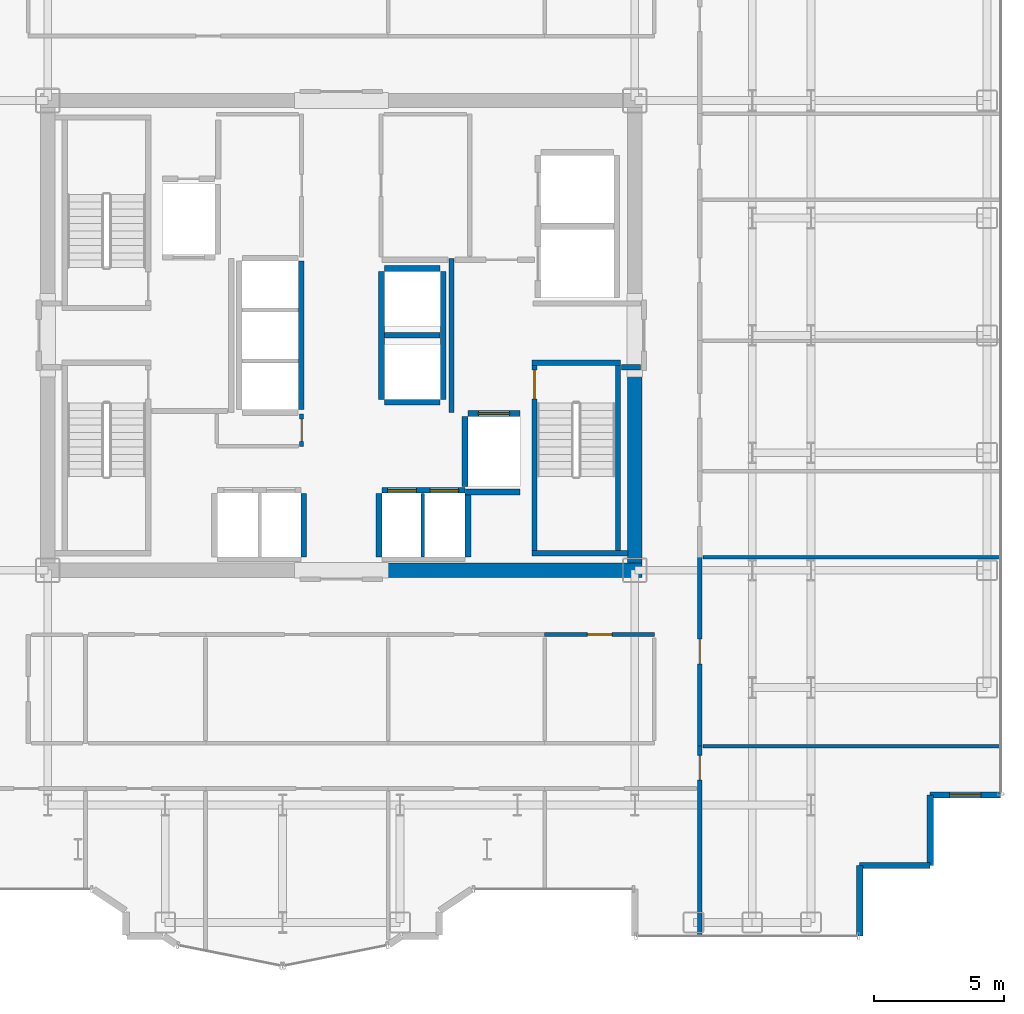
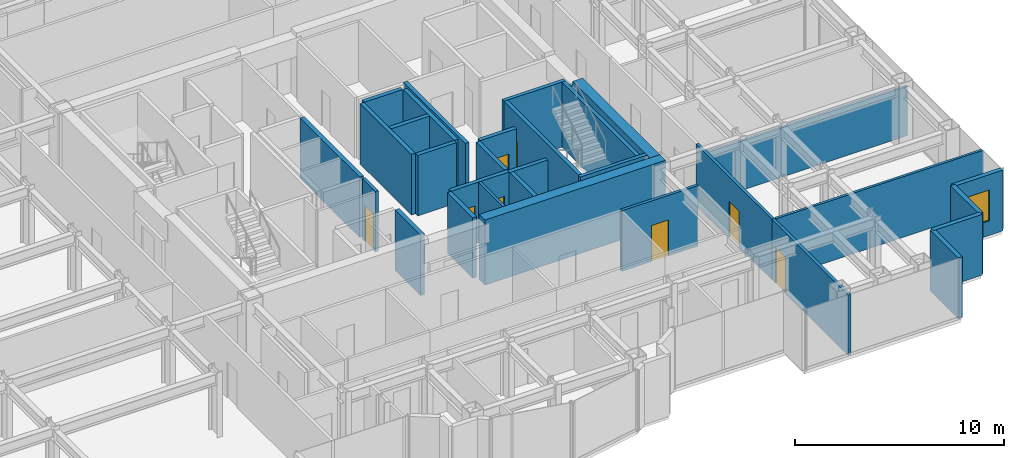
# One storey, part 19 of 23: 32 walls, 8 doors, 1 window, 9 openings.
"""IFC4 building model written with IfcOpenShell, lengths in metres."""

from ifc_helpers import new_model, si_unit, direction, frame, frame_2d, origin, place, context, subcontext, project, spatial, rectangle, extrude, source, transform, mapped, material, layer, layer_set, type_object, element, fill, save


model = new_model("IFC4")

# Units and contexts
model_context = context("Model", 3, precision=1e-05, world=origin(), true_north=direction((0.0, 1.0)))
body_context = subcontext(model_context, "Body", "Model", "MODEL_VIEW")
ifc_project = project(units=[si_unit("LENGTHUNIT", "METRE"), si_unit("AREAUNIT", "SQUARE_METRE"), si_unit("VOLUMEUNIT", "CUBIC_METRE"), si_unit("PLANEANGLEUNIT", "RADIAN"), si_unit("MASSUNIT", "GRAM", prefix="KILO")], contexts=[model_context])

# Site, building, storey
site_placement = place(None, origin())
site = spatial("IfcSite", under=ifc_project, at=site_placement, CompositionType="ELEMENT")
building_placement = place(site_placement, origin())
building = spatial("IfcBuilding", under=site, at=building_placement, Name="Nefas-Gora Pilgrimage Tower", CompositionType="ELEMENT")
storey_placement = place(building_placement, frame((0.0, 0.0, 175.39990234375)))
storey = spatial("IfcBuildingStorey", under=building, at=storey_placement, Name="L43", CompositionType="ELEMENT", Elevation=175.39990234375)

# Walls
ifc_material_1 = material(Name="Concrete C60/75", Category="concrete")
ifc_layer_1 = layer(ifc_material_1, 0.550048828125)
ifc_layer_set_1 = layer_set([ifc_layer_1], Name="Concrete C60/75")
wall_type_1 = type_object("IfcWallType", Name="SW-CORE-550", PredefinedType="SHEAR", material=ifc_layer_set_1)
shared_shape_1 = source(origin(), body_context, "Body", "SweptSolid", [
    extrude(rectangle(XDim=9.974853515625, YDim=0.550048828125, at=frame_2d((4.9873046875, 0.0))), origin(), (0.0, 0.0, 1.0), 3.800048828125),
])
wall_1_placement = place(storey_placement, frame((1.550048828125, -9.0, 0.0), z_axis=(0.0, 0.0, 1.0), x_axis=(1.0, 0.0, 0.0)))
element("IfcWall", 1, at=wall_1_placement, inside=storey, type_object=wall_type_1, Name="L43 Core Shear Wall S-East", PredefinedType="SHEAR", context=body_context, shape_type="MappedRepresentation", body=[
    mapped(shared_shape_1, transform((0.0, 0.0, 0.0), x_axis=(1.0, 0.0, 0.0), y_axis=(0.0, 1.0, 0.0), z_axis=(0.0, 0.0, 1.0), scale=1.0)),
])
shared_shape_2 = source(origin(), body_context, "Body", "SweptSolid", [
    extrude(rectangle(XDim=7.375, YDim=0.550048828125, at=frame_2d((3.6875, 0.0))), origin(), (0.0, 0.0, 1.0), 3.800048828125),
])
wall_2_placement = place(storey_placement, frame((11.25, -8.72509765625, 0.0), z_axis=(0.0, 0.0, 1.0), x_axis=(0.0, 1.0, 0.0)))
element("IfcWall", 2, at=wall_2_placement, inside=storey, type_object=wall_type_1, Name="L43 Core Shear Wall E-South", PredefinedType="SHEAR", context=body_context, shape_type="MappedRepresentation", body=[
    mapped(shared_shape_2, transform((0.0, 0.0, 0.0), x_axis=(1.0, 0.0, 0.0), y_axis=(0.0, 1.0, 0.0), z_axis=(0.0, 0.0, 1.0), scale=1.0)),
])
ifc_material_2 = material(Name="Precast concrete C45/55", Category="concrete")
ifc_layer_2 = layer(ifc_material_2, 0.239990234375)
ifc_layer_set_2 = layer_set([ifc_layer_2], Name="Precast concrete C45/55")
wall_type_2 = type_object("IfcWallType", Name="EW-SERR-240", PredefinedType="SHEAR", material=ifc_layer_set_2)
shared_shape_3 = source(origin(), body_context, "Body", "SweptSolid", [
    extrude(rectangle(XDim=2.699951171875, YDim=0.239990234375, at=frame_2d((1.35009765625, 0.0))), origin(), (0.0, 0.0, 1.0), 3.550048828125),
])
for number, where, z_axis, x_axis, name in (
    (3, (19.8701171875, -23.02001953125, 0.0), (0.0, 0.0, 1.0), (0.0, 1.0, 0.0), "L43 Serrated Corner Shear Pier Wall 2"),
    (4, (19.8701171875, -20.320068359375, 0.0), (0.0, 0.0, 1.0), (1.0, 0.0, 0.0), "L43 Serrated Corner Shear Pier Wall 3"),
    (5, (22.570068359375, -20.320068359375, 0.0), (0.0, 0.0, 1.0), (0.0, 1.0, 0.0), "L43 Serrated Corner Shear Pier Wall 4"),
):
    element("IfcWall", number, at=place(storey_placement, frame(where, z_axis=z_axis, x_axis=x_axis)), inside=storey, type_object=wall_type_2, Name=name, PredefinedType="SHEAR", context=body_context, shape_type="MappedRepresentation", body=[
        mapped(shared_shape_3, transform((0.0, 0.0, 0.0), x_axis=(1.0, 0.0, 0.0), y_axis=(0.0, 1.0, 0.0), z_axis=(0.0, 0.0, 1.0), scale=1.0)),
    ])

# Wall, opening, window
wall_3_placement = place(storey_placement, frame((22.570068359375, -17.6201171875, 0.0), z_axis=(0.0, 0.0, 1.0), x_axis=(1.0, 0.0, 0.0)))
wall_3 = element("IfcWall", 6, at=wall_3_placement, inside=storey, type_object=wall_type_2, Name="L43 Serrated Corner Shear Pier Wall 5", PredefinedType="SHEAR", context=body_context, shape_type="MappedRepresentation", body=[
    mapped(shared_shape_3, transform((0.0, 0.0, 0.0), x_axis=(1.0, 0.0, 0.0), y_axis=(0.0, 1.0, 0.0), z_axis=(0.0, 0.0, 1.0), scale=1.0)),
])
opening_1_placement = place(wall_3_placement, frame((0.75, 0.0, 0.85009765625)))
opening_1 = element("IfcOpeningElement", 7, at=opening_1_placement, cuts=wall_3, Name="Opening W-V1", PredefinedType="OPENING", context=body_context, shape_type="SweptSolid", body=[
    extrude(rectangle(XDim=1.199951171875, YDim=1.800048828125, at=frame_2d((0.60009765625, 0.89990234375))), frame((0.0, 0.1298828125, 0.0), z_axis=(0.0, -1.0, 0.0), x_axis=(1.0, 0.0, 0.0)), (0.0, 0.0, 1.0), 0.260009765625),
])
ifc_material_3 = material(Name="Dark ceramic-fritted operable aluminium-glass window", Category="aluminium")
window_type = type_object("IfcWindowType", Name="WIN-VENT-1200x1800", PartitioningType="SINGLE_PANEL", PredefinedType="WINDOW", material=ifc_material_3)
shared_shape_4 = source(origin(), body_context, "Body", "SweptSolid", [
    extrude(rectangle(XDim=1.199951171875, YDim=1.800048828125, at=frame_2d((0.60009765625, 0.89990234375))), frame((0.0, 0.030029296875, 0.0), z_axis=(0.0, -1.0, 0.0), x_axis=(1.0, 0.0, 0.0)), (0.0, 0.0, 1.0), 0.06005859375),
])
window_placement = place(opening_1_placement, origin())
window = element("IfcWindow", 8, at=window_placement, inside=storey, type_object=window_type, Name="L43 Operable Parallel-Outswing Window 5", OverallHeight=1.800048828125, OverallWidth=1.199951171875, PartitioningType="SINGLE_PANEL", PredefinedType="WINDOW", context=body_context, shape_type="MappedRepresentation", body=[
    mapped(shared_shape_4, transform((0.0, 0.0, 0.0), x_axis=(1.0, 0.0, 0.0), y_axis=(0.0, 1.0, 0.0), z_axis=(0.0, 0.0, 1.0), scale=1.0)),
])
fill(opening_1, window)

# Wall
ifc_material_4 = material(Name="Concrete C45/55", Category="concrete")
ifc_layer_3 = layer(ifc_material_4, 0.199951171875)
ifc_layer_set_3 = layer_set([ifc_layer_3], Name="Concrete C45/55")
wall_type_3 = type_object("IfcWallType", Name="IW-STAIR-200", PredefinedType="SOLIDWALL", material=ifc_layer_set_3)
shared_shape_5 = source(origin(), body_context, "Body", "SweptSolid", [
    extrude(rectangle(XDim=3.39990234375, YDim=0.199951171875, at=frame_2d((1.699951171875, 0.0))), origin(), (0.0, 0.0, 1.0), 3.800048828125),
])
wall_4_placement = place(storey_placement, frame((7.300048828125, -1.050048828125, 0.0), z_axis=(0.0, 0.0, 1.0), x_axis=(1.0, 0.0, 0.0)))
element("IfcWall", 9, at=wall_4_placement, inside=storey, type_object=wall_type_3, Name="L43 Stairwell Shear Wall ST-02-near", PredefinedType="SOLIDWALL", context=body_context, shape_type="MappedRepresentation", body=[
    mapped(shared_shape_5, transform((0.0, 0.0, 0.0), x_axis=(1.0, 0.0, 0.0), y_axis=(0.0, 1.0, 0.0), z_axis=(0.0, 0.0, 1.0), scale=1.0)),
])

# Wall, opening, door
shared_shape_6 = source(origin(), body_context, "Body", "SweptSolid", [
    extrude(rectangle(XDim=7.10009765625, YDim=0.199951171875, at=frame_2d((3.550048828125, 0.0))), origin(), (0.0, 0.0, 1.0), 3.800048828125),
])
wall_5_placement = place(storey_placement, frame((7.39990234375, -1.14990234375, 0.0), z_axis=(0.0, 0.0, 1.0), x_axis=(0.0, -1.0, 0.0)))
wall_5 = element("IfcWall", 10, at=wall_5_placement, inside=storey, type_object=wall_type_3, Name="L43 Stairwell Shear Wall ST-02-left", PredefinedType="SOLIDWALL", context=body_context, shape_type="MappedRepresentation", body=[
    mapped(shared_shape_6, transform((0.0, 0.0, 0.0), x_axis=(1.0, 0.0, 0.0), y_axis=(0.0, 1.0, 0.0), z_axis=(0.0, 0.0, 1.0), scale=1.0)),
])
opening_2_placement = place(wall_5_placement, frame((0.179931640625, 0.0, 0.0)))
opening_2 = element("IfcOpeningElement", 11, at=opening_2_placement, cuts=wall_5, Name="Opening ID-ST1", PredefinedType="OPENING", context=body_context, shape_type="SweptSolid", body=[
    extrude(rectangle(XDim=1.10009765625, YDim=2.14990234375, at=frame_2d((0.550048828125, 1.074951171875))), frame((0.0, 0.10986328125, 0.0), z_axis=(0.0, -1.0, 0.0), x_axis=(1.0, 0.0, 0.0)), (0.0, 0.0, 1.0), 0.219970703125),
])
ifc_material_5 = material(Name="Painted galvanised steel fire stair door", Category="steel")
door_type_1 = type_object("IfcDoorType", Name="DR-INT-STAIR-1100", OperationType="NOTDEFINED", PredefinedType="DOOR", material=ifc_material_5)
shared_shape_7 = source(origin(), body_context, "Body", "SweptSolid", [
    extrude(rectangle(XDim=1.10009765625, YDim=2.14990234375, at=frame_2d((0.550048828125, 1.074951171875))), frame((0.0, 0.02490234375, 0.0), z_axis=(0.0, -1.0, 0.0), x_axis=(1.0, 0.0, 0.0)), (0.0, 0.0, 1.0), 0.050048828125),
])
door_1_placement = place(opening_2_placement, origin())
door_1 = element("IfcDoor", 12, at=door_1_placement, inside=storey, type_object=door_type_1, Name="L43 Protected Exit Stair Door ST-02", OperationType="SINGLE_SWING_RIGHT", OverallHeight=2.14990234375, OverallWidth=1.10009765625, PredefinedType="DOOR", context=body_context, shape_type="MappedRepresentation", body=[
    mapped(shared_shape_7, transform((0.0, 0.0, 0.0), x_axis=(1.0, 0.0, 0.0), y_axis=(0.0, 1.0, 0.0), z_axis=(0.0, 0.0, 1.0), scale=1.0)),
])
fill(opening_2, door_1)

# Walls
wall_6_placement = place(storey_placement, frame((10.60009765625, -1.14990234375, 0.0), z_axis=(0.0, 0.0, 1.0), x_axis=(0.0, -1.0, 0.0)))
element("IfcWall", 13, at=wall_6_placement, inside=storey, type_object=wall_type_3, Name="L43 Stairwell Shear Wall ST-02-right", PredefinedType="SOLIDWALL", context=body_context, shape_type="MappedRepresentation", body=[
    mapped(shared_shape_6, transform((0.0, 0.0, 0.0), x_axis=(1.0, 0.0, 0.0), y_axis=(0.0, 1.0, 0.0), z_axis=(0.0, 0.0, 1.0), scale=1.0)),
])
shared_shape_8 = source(origin(), body_context, "Body", "SweptSolid", [
    extrude(rectangle(XDim=3.679931640625, YDim=0.199951171875, at=frame_2d((1.83984375, 0.0))), origin(), (0.0, 0.0, 1.0), 3.800048828125),
])
wall_7_placement = place(storey_placement, frame((7.300048828125, -8.35009765625, 0.0), z_axis=(0.0, 0.0, 1.0), x_axis=(1.0, 0.0, 0.0)))
element("IfcWall", 14, at=wall_7_placement, inside=storey, type_object=wall_type_3, Name="L43 Stairwell Shear Wall ST-02-far", PredefinedType="SOLIDWALL", context=body_context, shape_type="MappedRepresentation", body=[
    mapped(shared_shape_8, transform((0.0, 0.0, 0.0), x_axis=(1.0, 0.0, 0.0), y_axis=(0.0, 1.0, 0.0), z_axis=(0.0, 0.0, 1.0), scale=1.0)),
])

# Wall, opening, door
ifc_material_6 = material(Name="Concrete C40/50", Category="concrete")
ifc_layer_4 = layer(ifc_material_6, 0.219970703125)
ifc_layer_set_4 = layer_set([ifc_layer_4], Name="Concrete C40/50")
wall_type_4 = type_object("IfcWallType", Name="IW-SHAFT-220", PredefinedType="SOLIDWALL", material=ifc_layer_set_4)
shared_shape_9 = source(origin(), body_context, "Body", "SweptSolid", [
    extrude(rectangle(XDim=2.0, YDim=0.219970703125, at=frame_2d((1.0, 0.0))), origin(), (0.0, 0.0, 1.0), 3.53515625),
])
wall_8_placement = place(storey_placement, frame((6.85009765625, -2.989990234375, 0.0), z_axis=(0.0, 0.0, 1.0), x_axis=(-1.0, 0.0, 0.0)))
wall_8 = element("IfcWall", 15, at=wall_8_placement, inside=storey, type_object=wall_type_4, Name="L43 Hoistway Wall FFL-02-N", PredefinedType="SOLIDWALL", context=body_context, shape_type="MappedRepresentation", body=[
    mapped(shared_shape_9, transform((0.0, 0.0, 0.0), x_axis=(1.0, 0.0, 0.0), y_axis=(0.0, 1.0, 0.0), z_axis=(0.0, 0.0, 1.0), scale=1.0)),
])
opening_3_placement = place(wall_8_placement, frame((0.39990234375, 0.0, 0.0)))
opening_3 = element("IfcOpeningElement", 16, at=opening_3_placement, cuts=wall_8, Name="Opening LD-FF", PredefinedType="OPENING", context=body_context, shape_type="SweptSolid", body=[
    extrude(rectangle(XDim=1.199951171875, YDim=2.199951171875, at=frame_2d((0.60009765625, 1.10009765625))), frame((0.0, 0.119873046875, 0.0), z_axis=(0.0, -1.0, 0.0), x_axis=(1.0, 0.0, 0.0)), (0.0, 0.0, 1.0), 0.239990234375),
])
ifc_material_7 = material(Name="Fire-service sliding lift landing door")
door_type_2 = type_object("IfcDoorType", Name="DR-LIFT-FSAE-1200", OperationType="SLIDING_TO_LEFT", PredefinedType="DOOR", material=ifc_material_7)
shared_shape_10 = source(origin(), body_context, "Body", "SweptSolid", [
    extrude(rectangle(XDim=1.199951171875, YDim=2.199951171875, at=frame_2d((0.60009765625, 1.10009765625))), frame((0.0, 0.02490234375, 0.0), z_axis=(0.0, -1.0, 0.0), x_axis=(1.0, 0.0, 0.0)), (0.0, 0.0, 1.0), 0.050048828125),
])
door_2_placement = place(opening_3_placement, origin())
door_2 = element("IfcDoor", 17, at=door_2_placement, inside=storey, type_object=door_type_2, Name="L43 Sliding Lift Landing Door FFL-02", OperationType="SLIDING_TO_LEFT", OverallHeight=2.199951171875, OverallWidth=1.199951171875, PredefinedType="DOOR", context=body_context, shape_type="MappedRepresentation", body=[
    mapped(shared_shape_10, transform((0.0, 0.0, 0.0), x_axis=(1.0, 0.0, 0.0), y_axis=(0.0, 1.0, 0.0), z_axis=(0.0, 0.0, 1.0), scale=1.0)),
])
fill(opening_3, door_2)

# Wall
shared_shape_11 = source(origin(), body_context, "Body", "SweptSolid", [
    extrude(rectangle(XDim=2.679931640625, YDim=0.219970703125, at=frame_2d((1.33984375, 0.0))), origin(), (0.0, 0.0, 1.0), 3.53515625),
])
wall_9_placement = place(storey_placement, frame((4.739990234375, -3.110107421875, 0.0), z_axis=(0.0, 0.0, 1.0), x_axis=(0.0, -1.0, 0.0)))
element("IfcWall", 18, at=wall_9_placement, inside=storey, type_object=wall_type_4, Name="L43 Hoistway Wall FFL-02-W", PredefinedType="SOLIDWALL", context=body_context, shape_type="MappedRepresentation", body=[
    mapped(shared_shape_11, transform((0.0, 0.0, 0.0), x_axis=(1.0, 0.0, 0.0), y_axis=(0.0, 1.0, 0.0), z_axis=(0.0, 0.0, 1.0), scale=1.0)),
])

# Wall, openings, doors
shared_shape_12 = source(origin(), body_context, "Body", "SweptSolid", [
    extrude(rectangle(XDim=3.199951171875, YDim=0.219970703125, at=frame_2d((1.60009765625, 0.0))), origin(), (0.0, 0.0, 1.0), 3.53515625),
])
wall_10_placement = place(storey_placement, frame((4.75, -5.93994140625, 0.0), z_axis=(0.0, 0.0, 1.0), x_axis=(-1.0, 0.0, 0.0)))
wall_10 = element("IfcWall", 19, at=wall_10_placement, inside=storey, type_object=wall_type_4, Name="L43 Hoistway Wall PL2-E-N", PredefinedType="SOLIDWALL", context=body_context, shape_type="MappedRepresentation", body=[
    mapped(shared_shape_12, transform((0.0, 0.0, 0.0), x_axis=(1.0, 0.0, 0.0), y_axis=(0.0, 1.0, 0.0), z_axis=(0.0, 0.0, 1.0), scale=1.0)),
])
opening_4_placement = place(wall_10_placement, frame((1.875, 0.0, 0.0)))
opening_4 = element("IfcOpeningElement", 20, at=opening_4_placement, cuts=wall_10, Name="Opening LD-01", PredefinedType="OPENING", context=body_context, shape_type="SweptSolid", body=[
    extrude(rectangle(XDim=1.10009765625, YDim=2.199951171875, at=frame_2d((0.550048828125, 1.10009765625))), frame((0.0, 0.119873046875, 0.0), z_axis=(0.0, -1.0, 0.0), x_axis=(1.0, 0.0, 0.0)), (0.0, 0.0, 1.0), 0.239990234375),
])
opening_5_placement = place(wall_10_placement, frame((0.25, 0.0, 0.0)))
opening_5 = element("IfcOpeningElement", 21, at=opening_5_placement, cuts=wall_10, Name="Opening LD-01", PredefinedType="OPENING", context=body_context, shape_type="SweptSolid", body=[
    extrude(rectangle(XDim=1.10009765625, YDim=2.199951171875, at=frame_2d((0.550048828125, 1.10009765625))), frame((0.0, 0.119873046875, 0.0), z_axis=(0.0, -1.0, 0.0), x_axis=(1.0, 0.0, 0.0)), (0.0, 0.0, 1.0), 0.239990234375),
])
ifc_material_8 = material(Name="Brushed stainless sliding lift landing door")
door_type_3 = type_object("IfcDoorType", Name="DR-LIFT-PASS-1100", OperationType="DOUBLE_DOOR_SLIDING", PredefinedType="DOOR", material=ifc_material_8)
shared_shape_13 = source(origin(), body_context, "Body", "SweptSolid", [
    extrude(rectangle(XDim=1.10009765625, YDim=2.199951171875, at=frame_2d((0.550048828125, 1.10009765625))), frame((0.0, 0.02490234375, 0.0), z_axis=(0.0, -1.0, 0.0), x_axis=(1.0, 0.0, 0.0)), (0.0, 0.0, 1.0), 0.050048828125),
])
door_3_placement = place(opening_4_placement, origin())
door_3 = element("IfcDoor", 22, at=door_3_placement, inside=storey, type_object=door_type_3, Name="L43 Sliding Lift Landing Door PL2-03", OperationType="DOUBLE_DOOR_SLIDING", OverallHeight=2.199951171875, OverallWidth=1.10009765625, PredefinedType="DOOR", context=body_context, shape_type="MappedRepresentation", body=[
    mapped(shared_shape_13, transform((0.0, 0.0, 0.0), x_axis=(1.0, 0.0, 0.0), y_axis=(0.0, 1.0, 0.0), z_axis=(0.0, 0.0, 1.0), scale=1.0)),
])
fill(opening_4, door_3)
door_4_placement = place(opening_5_placement, origin())
door_4 = element("IfcDoor", 23, at=door_4_placement, inside=storey, type_object=door_type_3, Name="L43 Sliding Lift Landing Door PL2-04", OperationType="DOUBLE_DOOR_SLIDING", OverallHeight=2.199951171875, OverallWidth=1.10009765625, PredefinedType="DOOR", context=body_context, shape_type="MappedRepresentation", body=[
    mapped(shared_shape_13, transform((0.0, 0.0, 0.0), x_axis=(1.0, 0.0, 0.0), y_axis=(0.0, 1.0, 0.0), z_axis=(0.0, 0.0, 1.0), scale=1.0)),
])
fill(opening_5, door_4)

# Walls
shared_shape_14 = source(origin(), body_context, "Body", "SweptSolid", [
    extrude(rectangle(XDim=2.429931640625, YDim=0.219970703125, at=frame_2d((1.21484375, 0.0))), origin(), (0.0, 0.0, 1.0), 3.53515625),
])
for number, where, z_axis, x_axis, name in (
    (24, (-1.43994140625, -8.489990234375, 0.0), (0.0, 0.0, 1.0), (0.0, 1.0, 0.0), "L43 Hoistway Wall PL2-W-E"),
    (25, (1.43994140625, -6.06005859375, 0.0), (0.0, 0.0, 1.0), (0.0, -1.0, 0.0), "L43 Hoistway Wall PL2-E-W"),
    (26, (4.860107421875, -8.489990234375, 0.0), (0.0, 0.0, 1.0), (0.0, 1.0, 0.0), "L43 Hoistway Wall PL2-E-E"),
):
    element("IfcWall", number, at=place(storey_placement, frame(where, z_axis=z_axis, x_axis=x_axis)), inside=storey, type_object=wall_type_4, Name=name, PredefinedType="SOLIDWALL", context=body_context, shape_type="MappedRepresentation", body=[
        mapped(shared_shape_14, transform((0.0, 0.0, 0.0), x_axis=(1.0, 0.0, 0.0), y_axis=(0.0, 1.0, 0.0), z_axis=(0.0, 0.0, 1.0), scale=1.0)),
    ])
ifc_material_9 = material(Name="Gypsum twin-stud partition")
ifc_layer_5 = layer(ifc_material_9, 0.139892578125)
ifc_layer_set_5 = layer_set([ifc_layer_5], Name="Gypsum twin-stud partition")
wall_type_5 = type_object("IfcWallType", Name="IW-UNIT-140", PredefinedType="PARTITIONING", material=ifc_layer_set_5)
shared_shape_15 = source(origin(), body_context, "Body", "SweptSolid", [
    extrude(rectangle(XDim=2.429931640625, YDim=0.139892578125, at=frame_2d((1.21484375, 0.0))), origin(), (0.0, 0.0, 1.0), 3.53515625),
])
wall_11_placement = place(storey_placement, frame((3.125, -8.489990234375, 0.0), z_axis=(0.0, 0.0, 1.0), x_axis=(0.0, 1.0, 0.0)))
element("IfcWall", 27, at=wall_11_placement, inside=storey, type_object=wall_type_5, Name="L43 Hoistway Wall PL2-E-DIV", PredefinedType="PARTITIONING", context=body_context, shape_type="MappedRepresentation", body=[
    mapped(shared_shape_15, transform((0.0, 0.0, 0.0), x_axis=(1.0, 0.0, 0.0), y_axis=(0.0, 1.0, 0.0), z_axis=(0.0, 0.0, 1.0), scale=1.0)),
])
shared_shape_16 = source(origin(), body_context, "Body", "SweptSolid", [
    extrude(rectangle(XDim=5.7001953125, YDim=0.219970703125, at=frame_2d((2.85009765625, 0.0))), origin(), (0.0, 0.0, 1.0), 3.53515625),
])
wall_12_placement = place(storey_placement, frame((-1.5400390625, -2.85009765625, 0.0), z_axis=(0.0, 0.0, 1.0), x_axis=(0.0, 1.0, 0.0)))
element("IfcWall", 28, at=wall_12_placement, inside=storey, type_object=wall_type_4, Name="L43 Hoistway Wall PL3-01-03-E", PredefinedType="SOLIDWALL", context=body_context, shape_type="MappedRepresentation", body=[
    mapped(shared_shape_16, transform((0.0, 0.0, 0.0), x_axis=(1.0, 0.0, 0.0), y_axis=(0.0, 1.0, 0.0), z_axis=(0.0, 0.0, 1.0), scale=1.0)),
])
shared_shape_17 = source(origin(), body_context, "Body", "SweptSolid", [
    extrude(rectangle(XDim=2.130126953125, YDim=0.219970703125, at=frame_2d((1.06494140625, 0.0))), origin(), (0.0, 0.0, 1.0), 3.53515625),
])
for number, where, z_axis, x_axis, name in (
    (29, (1.659912109375, -2.56005859375, 0.0), (0.0, 0.0, 1.0), (1.0, 0.0, 0.0), "L43 Hoistway Wall OBS-01-S"),
    (30, (1.659912109375, 0.0, 0.0), (0.0, 0.0, 1.0), (1.0, 0.0, 0.0), "L43 Hoistway Wall OBS-01-02-DIV"),
    (31, (3.7900390625, 2.56005859375, 0.0), (0.0, 0.0, 1.0), (-1.0, 0.0, 0.0), "L43 Hoistway Wall OBS-02-N"),
):
    element("IfcWall", number, at=place(storey_placement, frame(where, z_axis=z_axis, x_axis=x_axis)), inside=storey, type_object=wall_type_4, Name=name, PredefinedType="SOLIDWALL", context=body_context, shape_type="MappedRepresentation", body=[
        mapped(shared_shape_17, transform((0.0, 0.0, 0.0), x_axis=(1.0, 0.0, 0.0), y_axis=(0.0, 1.0, 0.0), z_axis=(0.0, 0.0, 1.0), scale=1.0)),
    ])
shared_shape_18 = source(origin(), body_context, "Body", "SweptSolid", [
    extrude(rectangle(XDim=4.89990234375, YDim=0.219970703125, at=frame_2d((2.449951171875, 0.0))), origin(), (0.0, 0.0, 1.0), 3.53515625),
])
for number, where, z_axis, x_axis, name in (
    (32, (1.5400390625, 2.449951171875, 0.0), (0.0, 0.0, 1.0), (0.0, -1.0, 0.0), "L43 Hoistway Wall OBS-01-02-W"),
    (33, (3.909912109375, -2.449951171875, 0.0), (0.0, 0.0, 1.0), (0.0, 1.0, 0.0), "L43 Hoistway Wall OBS-01-02-E"),
):
    element("IfcWall", number, at=place(storey_placement, frame(where, z_axis=z_axis, x_axis=x_axis)), inside=storey, type_object=wall_type_4, Name=name, PredefinedType="SOLIDWALL", context=body_context, shape_type="MappedRepresentation", body=[
        mapped(shared_shape_18, transform((0.0, 0.0, 0.0), x_axis=(1.0, 0.0, 0.0), y_axis=(0.0, 1.0, 0.0), z_axis=(0.0, 0.0, 1.0), scale=1.0)),
    ])
shared_shape_19 = source(origin(), body_context, "Body", "SweptSolid", [
    extrude(rectangle(XDim=2.09521484375, YDim=0.219970703125, at=frame_2d((1.047607421875, 0.0))), origin(), (0.0, 0.0, 1.0), 3.53515625),
])
wall_13_placement = place(storey_placement, frame((4.7548828125, -6.0, 0.0), z_axis=(0.0, 0.0, 1.0), x_axis=(1.0, 0.0, 0.0)))
element("IfcWall", 34, at=wall_13_placement, inside=storey, type_object=wall_type_4, Name="L43 Riser Shaft Wall 3", PredefinedType="SOLIDWALL", context=body_context, shape_type="MappedRepresentation", body=[
    mapped(shared_shape_19, transform((0.0, 0.0, 0.0), x_axis=(1.0, 0.0, 0.0), y_axis=(0.0, 1.0, 0.0), z_axis=(0.0, 0.0, 1.0), scale=1.0)),
])
ifc_material_10 = material(Name="Gypsum fire-rated shaftwall")
ifc_layer_6 = layer(ifc_material_10, 0.199951171875)
ifc_layer_set_6 = layer_set([ifc_layer_6], Name="Gypsum fire-rated shaftwall")
wall_type_6 = type_object("IfcWallType", Name="IW-FFLOB-200", PredefinedType="PARTITIONING", material=ifc_layer_set_6)
shared_shape_20 = source(origin(), body_context, "Body", "SweptSolid", [
    extrude(rectangle(XDim=5.89990234375, YDim=0.199951171875, at=frame_2d((2.949951171875, 0.0))), origin(), (0.0, 0.0, 1.0), 3.53515625),
])
wall_14_placement = place(storey_placement, frame((4.219970703125, -2.949951171875, 0.0), z_axis=(0.0, 0.0, 1.0), x_axis=(0.0, 1.0, 0.0)))
element("IfcWall", 35, at=wall_14_placement, inside=storey, type_object=wall_type_6, Name="L43 FF Lobby East Inner Wall Wall 10", PredefinedType="PARTITIONING", context=body_context, shape_type="MappedRepresentation", body=[
    mapped(shared_shape_20, transform((0.0, 0.0, 0.0), x_axis=(1.0, 0.0, 0.0), y_axis=(0.0, 1.0, 0.0), z_axis=(0.0, 0.0, 1.0), scale=1.0)),
])
shared_shape_21 = source(origin(), body_context, "Body", "SweptSolid", [
    extrude(rectangle(XDim=0.719970703125, YDim=0.199951171875, at=frame_2d((0.35986328125, 0.0))), origin(), (0.0, 0.0, 1.0), 3.53515625),
])
wall_15_placement = place(storey_placement, frame((10.739990234375, -1.219970703125, 0.0), z_axis=(0.0, 0.0, 1.0), x_axis=(1.0, 0.0, 0.0)))
element("IfcWall", 36, at=wall_15_placement, inside=storey, type_object=wall_type_6, Name="L43 FF Lobby East Throat S Wall 14", PredefinedType="PARTITIONING", context=body_context, shape_type="MappedRepresentation", body=[
    mapped(shared_shape_21, transform((0.0, 0.0, 0.0), x_axis=(1.0, 0.0, 0.0), y_axis=(0.0, 1.0, 0.0), z_axis=(0.0, 0.0, 1.0), scale=1.0)),
])

# Wall, opening, door
ifc_material_11 = material(Name="Gypsum acoustic stud partition")
ifc_layer_7 = layer(ifc_material_11, 0.159912109375)
ifc_layer_set_7 = layer_set([ifc_layer_7], Name="Gypsum acoustic stud partition")
wall_type_7 = type_object("IfcWallType", Name="IW-CORR-160", PredefinedType="PARTITIONING", material=ifc_layer_set_7)
shared_shape_22 = source(origin(), body_context, "Body", "SweptSolid", [
    extrude(rectangle(XDim=1.25, YDim=0.159912109375, at=frame_2d((0.625, 0.0))), origin(), (0.0, 0.0, 1.0), 3.53515625),
])
wall_16_placement = place(storey_placement, frame((-1.52001953125, -4.260009765625, 0.0), z_axis=(0.0, 0.0, 1.0), x_axis=(0.0, 1.0, 0.0)))
wall_16 = element("IfcWall", 37, at=wall_16_placement, inside=storey, type_object=wall_type_7, Name="L43 Pilgrim Baggage and Gear Vault Wall 20", PredefinedType="PARTITIONING", context=body_context, shape_type="MappedRepresentation", body=[
    mapped(shared_shape_22, transform((0.0, 0.0, 0.0), x_axis=(1.0, 0.0, 0.0), y_axis=(0.0, 1.0, 0.0), z_axis=(0.0, 0.0, 1.0), scale=1.0)),
])
opening_6_placement = place(wall_16_placement, frame((0.199951171875, 0.0, 0.0)))
opening_6 = element("IfcOpeningElement", 38, at=opening_6_placement, cuts=wall_16, Name="Opening ID-BT1", PredefinedType="OPENING", context=body_context, shape_type="SweptSolid", body=[
    extrude(rectangle(XDim=0.85009765625, YDim=2.10009765625, at=frame_2d((0.425048828125, 1.050048828125))), frame((0.0, 0.08984375, 0.0), z_axis=(0.0, -1.0, 0.0), x_axis=(1.0, 0.0, 0.0)), (0.0, 0.0, 1.0), 0.179931640625),
])
ifc_material_12 = material(Name="Moisture-resistant fire-rated timber door", Category="wood")
door_type_4 = type_object("IfcDoorType", Name="DR-INT-BATH-850", OperationType="NOTDEFINED", PredefinedType="DOOR", material=ifc_material_12)
shared_shape_23 = source(origin(), body_context, "Body", "SweptSolid", [
    extrude(rectangle(XDim=0.85009765625, YDim=2.10009765625, at=frame_2d((0.425048828125, 1.050048828125))), frame((0.0, 0.02490234375, 0.0), z_axis=(0.0, -1.0, 0.0), x_axis=(1.0, 0.0, 0.0)), (0.0, 0.0, 1.0), 0.050048828125),
])
door_5_placement = place(opening_6_placement, origin())
door_5 = element("IfcDoor", 39, at=door_5_placement, inside=storey, type_object=door_type_4, Name="L43 Pilgrim Baggage and Gear Vault Door 8", OperationType="SINGLE_SWING_LEFT", OverallHeight=2.10009765625, OverallWidth=0.85009765625, PredefinedType="DOOR", context=body_context, shape_type="MappedRepresentation", body=[
    mapped(shared_shape_23, transform((0.0, 0.0, 0.0), x_axis=(1.0, 0.0, 0.0), y_axis=(0.0, 1.0, 0.0), z_axis=(0.0, 0.0, 1.0), scale=1.0)),
])
fill(opening_6, door_5)

# Walls
shared_shape_24 = source(origin(), body_context, "Body", "SweptSolid", [
    extrude(rectangle(XDim=11.429931640625, YDim=0.139892578125, at=frame_2d((5.71484375, 0.0))), origin(), (0.0, 0.0, 1.0), 2.875),
])
wall_17_placement = place(storey_placement, frame((13.860107421875, -8.5048828125, 0.0), z_axis=(0.0, 0.0, 1.0), x_axis=(1.0, 0.0, 0.0)))
element("IfcWall", 40, at=wall_17_placement, inside=storey, type_object=wall_type_5, Name="L43 Pilgrim Fellowship Seminar Room Partition Wall 36", PredefinedType="PARTITIONING", context=body_context, shape_type="MappedRepresentation", body=[
    mapped(shared_shape_24, transform((0.0, 0.0, 0.0), x_axis=(1.0, 0.0, 0.0), y_axis=(0.0, 1.0, 0.0), z_axis=(0.0, 0.0, 1.0), scale=1.0)),
])
shared_shape_25 = source(origin(), body_context, "Body", "SweptSolid", [
    extrude(rectangle(XDim=11.429931640625, YDim=0.139892578125, at=frame_2d((5.71484375, 0.0))), origin(), (0.0, 0.0, 1.0), 3.53515625),
])
wall_18_placement = place(storey_placement, frame((13.860107421875, -15.74755859375, 0.0), z_axis=(0.0, 0.0, 1.0), x_axis=(1.0, 0.0, 0.0)))
element("IfcWall", 41, at=wall_18_placement, inside=storey, type_object=wall_type_5, Name="L43 Pilgrim Tea and Beverage Pantry Partition Wall 34", PredefinedType="PARTITIONING", context=body_context, shape_type="MappedRepresentation", body=[
    mapped(shared_shape_25, transform((0.0, 0.0, 0.0), x_axis=(1.0, 0.0, 0.0), y_axis=(0.0, 1.0, 0.0), z_axis=(0.0, 0.0, 1.0), scale=1.0)),
])

# Wall, opening, door
shared_shape_26 = source(origin(), body_context, "Body", "SweptSolid", [
    extrude(rectangle(XDim=7.302490234375, YDim=0.159912109375, at=frame_2d((3.6513671875, 0.0))), origin(), (0.0, 0.0, 1.0), 3.53515625),
])
wall_19_placement = place(storey_placement, frame((13.739990234375, -23.0400390625, 0.0), z_axis=(0.0, 0.0, 1.0), x_axis=(0.0, 1.0, 0.0)))
wall_19 = element("IfcWall", 42, at=wall_19_placement, inside=storey, type_object=wall_type_7, Name="L43 Pilgrim Tea and Beverage Pantry Partition Wall 33", PredefinedType="PARTITIONING", context=body_context, shape_type="MappedRepresentation", body=[
    mapped(shared_shape_26, transform((0.0, 0.0, 0.0), x_axis=(1.0, 0.0, 0.0), y_axis=(0.0, 1.0, 0.0), z_axis=(0.0, 0.0, 1.0), scale=1.0)),
])
opening_7_placement = place(wall_19_placement, frame((5.9912109375, 0.0, 0.0)))
opening_7 = element("IfcOpeningElement", 43, at=opening_7_placement, cuts=wall_19, Name="Opening ID-GR1", PredefinedType="OPENING", context=body_context, shape_type="SweptSolid", body=[
    extrude(rectangle(XDim=0.949951171875, YDim=2.10009765625, at=frame_2d((0.47509765625, 1.050048828125))), frame((0.0, 0.08984375, 0.0), z_axis=(0.0, -1.0, 0.0), x_axis=(1.0, 0.0, 0.0)), (0.0, 0.0, 1.0), 0.179931640625),
])
ifc_material_13 = material(Name="Solid core oak fire-rated guest entrance door")
door_type_5 = type_object("IfcDoorType", Name="DR-INT-GUEST-950", OperationType="NOTDEFINED", PredefinedType="DOOR", material=ifc_material_13)
shared_shape_27 = source(origin(), body_context, "Body", "SweptSolid", [
    extrude(rectangle(XDim=0.949951171875, YDim=2.10009765625, at=frame_2d((0.47509765625, 1.050048828125))), frame((0.0, 0.02490234375, 0.0), z_axis=(0.0, -1.0, 0.0), x_axis=(1.0, 0.0, 0.0)), (0.0, 0.0, 1.0), 0.050048828125),
])
door_6_placement = place(opening_7_placement, origin())
door_6 = element("IfcDoor", 44, at=door_6_placement, inside=storey, type_object=door_type_5, Name="L43 Pilgrim Tea and Beverage Pantry Door 14", OperationType="SINGLE_SWING_LEFT", OverallHeight=2.10009765625, OverallWidth=0.949951171875, PredefinedType="DOOR", context=body_context, shape_type="MappedRepresentation", body=[
    mapped(shared_shape_27, transform((0.0, 0.0, 0.0), x_axis=(1.0, 0.0, 0.0), y_axis=(0.0, 1.0, 0.0), z_axis=(0.0, 0.0, 1.0), scale=1.0)),
])
fill(opening_7, door_6)

shared_shape_28 = source(origin(), body_context, "Body", "SweptSolid", [
    extrude(rectangle(XDim=7.242431640625, YDim=0.159912109375, at=frame_2d((3.62109375, 0.0))), origin(), (0.0, 0.0, 1.0), 3.53515625),
])
wall_20_placement = place(storey_placement, frame((13.739990234375, -15.737548828125, 0.0), z_axis=(0.0, 0.0, 1.0), x_axis=(0.0, 1.0, 0.0)))
wall_20 = element("IfcWall", 45, at=wall_20_placement, inside=storey, type_object=wall_type_7, Name="L43 Pilgrim Fellowship Seminar Room Partition Wall 35", PredefinedType="PARTITIONING", context=body_context, shape_type="MappedRepresentation", body=[
    mapped(shared_shape_28, transform((0.0, 0.0, 0.0), x_axis=(1.0, 0.0, 0.0), y_axis=(0.0, 1.0, 0.0), z_axis=(0.0, 0.0, 1.0), scale=1.0)),
])
opening_8_placement = place(wall_20_placement, frame((3.146240234375, 0.0, 0.0)))
opening_8 = element("IfcOpeningElement", 46, at=opening_8_placement, cuts=wall_20, Name="Opening ID-GR1", PredefinedType="OPENING", context=body_context, shape_type="SweptSolid", body=[
    extrude(rectangle(XDim=0.949951171875, YDim=2.10009765625, at=frame_2d((0.47509765625, 1.050048828125))), frame((0.0, 0.08984375, 0.0), z_axis=(0.0, -1.0, 0.0), x_axis=(1.0, 0.0, 0.0)), (0.0, 0.0, 1.0), 0.179931640625),
])
door_7_placement = place(opening_8_placement, origin())
door_7 = element("IfcDoor", 47, at=door_7_placement, inside=storey, type_object=door_type_5, Name="L43 Pilgrim Fellowship Seminar Room Door 15", OperationType="SINGLE_SWING_RIGHT", OverallHeight=2.10009765625, OverallWidth=0.949951171875, PredefinedType="DOOR", context=body_context, shape_type="MappedRepresentation", body=[
    mapped(shared_shape_27, transform((0.0, 0.0, 0.0), x_axis=(1.0, 0.0, 0.0), y_axis=(0.0, 1.0, 0.0), z_axis=(0.0, 0.0, 1.0), scale=1.0)),
])
fill(opening_8, door_7)

shared_shape_29 = source(origin(), body_context, "Body", "SweptSolid", [
    extrude(rectangle(XDim=4.215087890625, YDim=0.159912109375, at=frame_2d((2.107421875, 0.0))), origin(), (0.0, 0.0, 1.0), 3.53515625),
])
wall_21_placement = place(storey_placement, frame((7.794921875, -11.469970703125, 0.0), z_axis=(0.0, 0.0, 1.0), x_axis=(1.0, 0.0, 0.0)))
wall_21 = element("IfcWall", 48, at=wall_21_placement, inside=storey, type_object=wall_type_7, Name="L43 Pilgrim Contemplative Lounge Partition Wall 86", PredefinedType="PARTITIONING", context=body_context, shape_type="MappedRepresentation", body=[
    mapped(shared_shape_29, transform((0.0, 0.0, 0.0), x_axis=(1.0, 0.0, 0.0), y_axis=(0.0, 1.0, 0.0), z_axis=(0.0, 0.0, 1.0), scale=1.0)),
])
opening_9_placement = place(wall_21_placement, frame((1.632568359375, 0.0, 0.0)))
opening_9 = element("IfcOpeningElement", 49, at=opening_9_placement, cuts=wall_21, Name="Opening ID-GR1", PredefinedType="OPENING", context=body_context, shape_type="SweptSolid", body=[
    extrude(rectangle(XDim=0.949951171875, YDim=2.10009765625, at=frame_2d((0.47509765625, 1.050048828125))), frame((0.0, 0.08984375, 0.0), z_axis=(0.0, -1.0, 0.0), x_axis=(1.0, 0.0, 0.0)), (0.0, 0.0, 1.0), 0.179931640625),
])
door_8_placement = place(opening_9_placement, origin())
door_8 = element("IfcDoor", 50, at=door_8_placement, inside=storey, type_object=door_type_5, Name="L43 Pilgrim Contemplative Lounge Door 38", OperationType="SINGLE_SWING_LEFT", OverallHeight=2.10009765625, OverallWidth=0.949951171875, PredefinedType="DOOR", context=body_context, shape_type="MappedRepresentation", body=[
    mapped(shared_shape_27, transform((0.0, 0.0, 0.0), x_axis=(1.0, 0.0, 0.0), y_axis=(0.0, 1.0, 0.0), z_axis=(0.0, 0.0, 1.0), scale=1.0)),
])
fill(opening_9, door_8)

save(model, "model.ifc")
